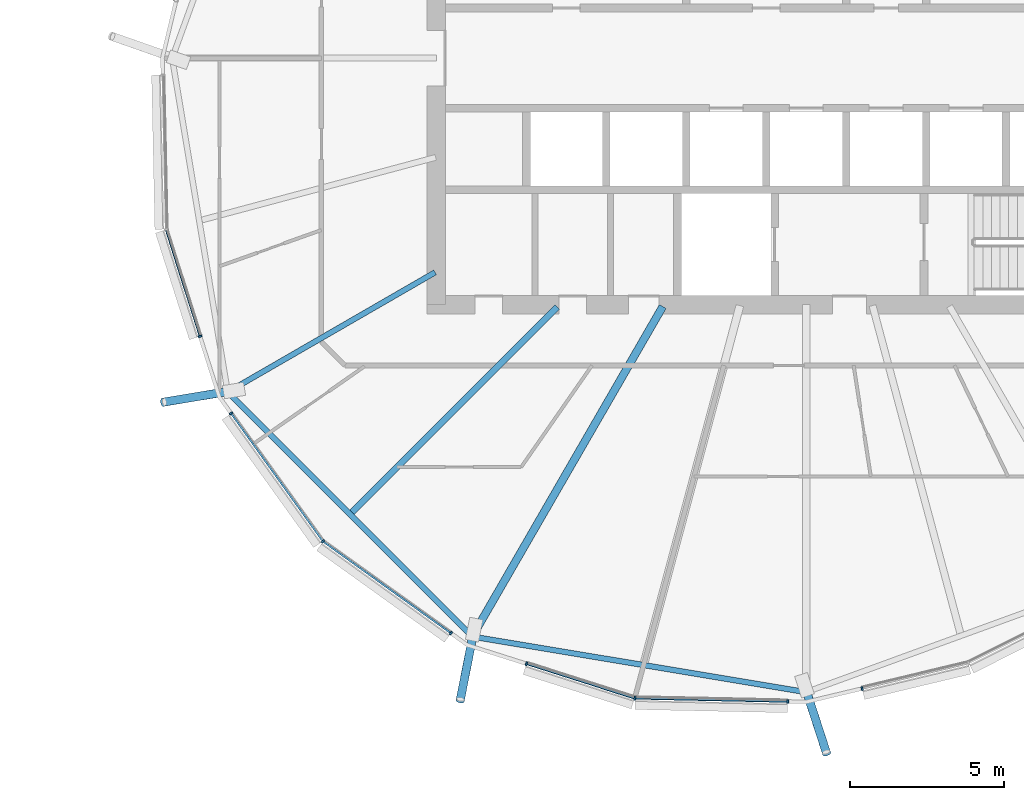
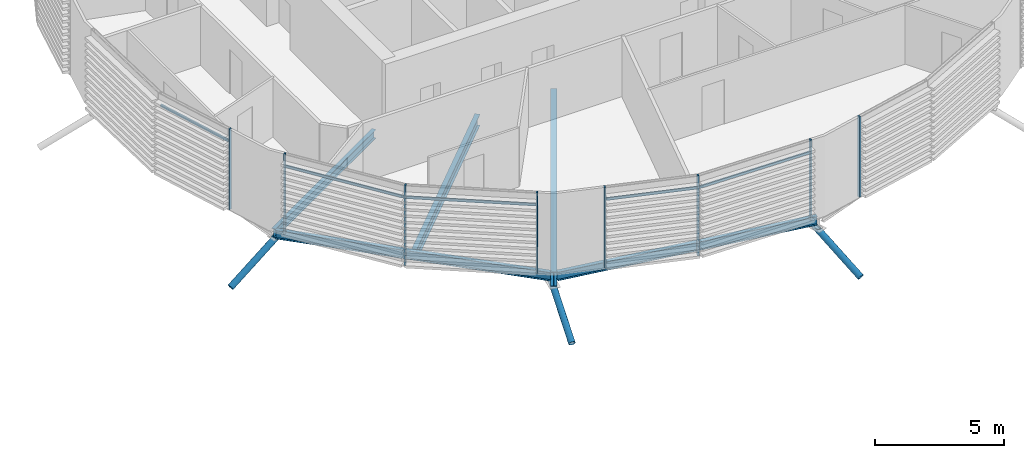
# One storey, part 11 of 36: 16 members, 5 beams, 1 element without a shape of its own.
"""IFC4 building model written with IfcOpenShell, lengths in metres."""

from ifc_helpers import new_model, si_unit, direction, frame, origin, origin_2d, place, context, subcontext, project, spatial, rectangle, hollow_circle, i_section, extrude, clip, halfspace, material, material_profile, profile_set, type_object, element, aggregate, save


model = new_model("IFC4")

# Units and contexts
model_context = context("Model", 3, precision=1e-05, world=origin(), true_north=direction((0.0, 1.0)))
body_context = subcontext(model_context, "Body", "Model", "MODEL_VIEW")
ifc_project = project(units=[si_unit("LENGTHUNIT", "METRE"), si_unit("AREAUNIT", "SQUARE_METRE"), si_unit("VOLUMEUNIT", "CUBIC_METRE"), si_unit("PLANEANGLEUNIT", "RADIAN"), si_unit("MASSUNIT", "GRAM", prefix="KILO")], contexts=[model_context])

# Site, building, storey
site_placement = place(None, origin())
site = spatial("IfcSite", under=ifc_project, at=site_placement, CompositionType="ELEMENT")
building_placement = place(site_placement, origin())
building = spatial("IfcBuilding", under=site, at=building_placement, Name="Rimbun Link Towers", CompositionType="ELEMENT")
storey_placement = place(building_placement, frame((0.0, 0.0, 174.10009765625)))
storey = spatial("IfcBuildingStorey", under=building, at=storey_placement, Name="L42", CompositionType="ELEMENT", Elevation=174.10009765625)

# Curtain wall, members
ifc_material_1 = material(Name="Aluminium 6063-T6 and low-iron glass", Category="aluminium")
curtain_wall_type = type_object("IfcCurtainWallType", Name="CW1-Z3 unitised vision wall (zone 3)", PredefinedType="NOTDEFINED", material=ifc_material_1)
curtain_wall_placement = place(storey_placement, origin())
curtain_wall = element("IfcCurtainWall", 1, at=curtain_wall_placement, inside=storey, type_object=curtain_wall_type, Name="CW1 L42 T2", PredefinedType="NOTDEFINED")
ifc_material_2 = material(Name="Aluminium 6063-T6", Category="aluminium")
ifc_material_profile_1 = material_profile(ifc_material_2, rectangle(XDim=0.1201171875, YDim=0.06005859375, at=origin_2d()), Name="MULLION 60X120")
ifc_profile_set_1 = profile_set([ifc_material_profile_1], Name="Aluminium 6063-T6")
member_type_1 = type_object("IfcMemberType", Name="CW1 mullion 60X120", PredefinedType="MULLION", material=ifc_profile_set_1)
member_1_placement = place(storey_placement, frame((12.07763671875, -9.03076171875, 0.0), z_axis=(0.0, 0.0, 1.0), x_axis=(-0.952968988731, -0.303067824946, 0.0)))
member_1 = element("IfcMember", 2, at=member_1_placement, type_object=member_type_1, Name="CW1 mullion", PredefinedType="MULLION", context=body_context, shape_type="SweptSolid", body=[
    extrude(rectangle(XDim=0.1201171875, YDim=0.06005859375, at=origin_2d()), origin(), (0.0, 0.0, 1.0), 3.7998046875),
])
member_2_placement = place(storey_placement, frame((16.0673828125, -15.6826171875, 0.0), z_axis=(0.0, 0.0, 1.0), x_axis=(-0.707106781187, -0.707106781187, 0.0)))
member_2 = element("IfcMember", 3, at=member_2_placement, type_object=member_type_1, Name="CW1 mullion", PredefinedType="MULLION", context=body_context, shape_type="SweptSolid", body=[
    extrude(rectangle(XDim=0.1201171875, YDim=0.06005859375, at=origin_2d()), origin(), (0.0, 0.0, 1.0), 3.7998046875),
])
member_3_placement = place(storey_placement, frame((13.086181640625, -11.529296875, 0.0), z_axis=(0.0, 0.0, 1.0), x_axis=(-0.812465398272, -0.583009413827, 0.0)))
member_3 = element("IfcMember", 4, at=member_3_placement, type_object=member_type_1, Name="CW1 mullion", PredefinedType="MULLION", context=body_context, shape_type="SweptSolid", body=[
    extrude(rectangle(XDim=0.1201171875, YDim=0.06005859375, at=origin_2d()), origin(), (0.0, 0.0, 1.0), 3.7998046875),
])
member_4_placement = place(storey_placement, frame((20.220703125, -18.663818359375, 0.0), z_axis=(0.0, 0.0, 1.0), x_axis=(-0.583009413827, -0.812465398272, 0.0)))
member_4 = element("IfcMember", 5, at=member_4_placement, type_object=member_type_1, Name="CW1 mullion", PredefinedType="MULLION", context=body_context, shape_type="SweptSolid", body=[
    extrude(rectangle(XDim=0.1201171875, YDim=0.06005859375, at=origin_2d()), origin(), (0.0, 0.0, 1.0), 3.7998046875),
])
member_5_placement = place(storey_placement, frame((26.189208984375, -20.775390625, 0.0), z_axis=(0.0, 0.0, 1.0), x_axis=(-0.163742714165, -0.986503078332, 0.0)))
member_5 = element("IfcMember", 6, at=member_5_placement, type_object=member_type_1, Name="CW1 mullion", PredefinedType="MULLION", context=body_context, shape_type="SweptSolid", body=[
    extrude(rectangle(XDim=0.1201171875, YDim=0.06005859375, at=origin_2d()), origin(), (0.0, 0.0, 1.0), 3.7998046875),
])
member_6_placement = place(storey_placement, frame((22.671630859375, -19.6572265625, 0.0), z_axis=(0.0, 0.0, 1.0), x_axis=(-0.303067824946, -0.952968988731, 0.0)))
member_6 = element("IfcMember", 7, at=member_6_placement, type_object=member_type_1, Name="CW1 mullion", PredefinedType="MULLION", context=body_context, shape_type="SweptSolid", body=[
    extrude(rectangle(XDim=0.1201171875, YDim=0.06005859375, at=origin_2d()), origin(), (0.0, 0.0, 1.0), 3.7998046875),
])
member_7_placement = place(storey_placement, frame((31.14892578125, -20.88037109375, 0.0), z_axis=(0.0, 0.0, 1.0), x_axis=(-0.021054979477, -0.999778319348, 0.0)))
member_7 = element("IfcMember", 8, at=member_7_placement, type_object=member_type_1, Name="CW1 mullion", PredefinedType="MULLION", context=body_context, shape_type="SweptSolid", body=[
    extrude(rectangle(XDim=0.1201171875, YDim=0.06005859375, at=origin_2d()), origin(), (0.0, 0.0, 1.0), 3.7998046875),
])
member_8_placement = place(storey_placement, frame((33.563232421875, -20.461181640625, 0.0), z_axis=(0.0, 0.0, 1.0), x_axis=(0.232594562001, -0.972573786264, 0.0)))
member_8 = element("IfcMember", 9, at=member_8_placement, type_object=member_type_1, Name="CW1 mullion", PredefinedType="MULLION", context=body_context, shape_type="SweptSolid", body=[
    extrude(rectangle(XDim=0.1201171875, YDim=0.06005859375, at=origin_2d()), origin(), (0.0, 0.0, 1.0), 3.7998046875),
])
ifc_material_3 = material(Name="Aluminium 6063-T6", Category="aluminium")
ifc_material_profile_2 = material_profile(ifc_material_3, rectangle(XDim=0.06005859375, YDim=0.1201171875, at=origin_2d()), Name="TRANSOM 60X120")
ifc_profile_set_2 = profile_set([ifc_material_profile_2], Name="Aluminium 6063-T6")
member_type_2 = type_object("IfcMemberType", Name="CW1 transom 60X120", PredefinedType="USERDEFINED", material=ifc_profile_set_2)
member_9_placement = place(storey_placement, frame((12.0703125, -9.001708984375, 3.199951171875), z_axis=(-0.303076723808, 0.952966158626, 0.0), x_axis=(-0.952966158626, -0.303076723808, 0.0)))
member_9 = element("IfcMember", 10, at=member_9_placement, type_object=member_type_2, Name="CW1 transom", ObjectType="TRANSOM", PredefinedType="USERDEFINED", context=body_context, shape_type="SweptSolid", body=[
    extrude(rectangle(XDim=0.06005859375, YDim=0.1201171875, at=origin_2d()), origin(), (0.0, 0.0, 1.0), 3.572509765625),
])
member_10_placement = place(storey_placement, frame((16.045166015625, -15.649658203125, 3.199951171875), z_axis=(-0.582995424228, 0.812475436754, 0.0), x_axis=(-0.812475436754, -0.582995424228, 0.0)))
member_10 = element("IfcMember", 11, at=member_10_placement, type_object=member_type_2, Name="CW1 transom", ObjectType="TRANSOM", PredefinedType="USERDEFINED", context=body_context, shape_type="SweptSolid", body=[
    extrude(rectangle(XDim=0.06005859375, YDim=0.1201171875, at=origin_2d()), origin(), (0.0, 0.0, 1.0), 5.042724609375),
])
member_11_placement = place(storey_placement, frame((20.197509765625, -18.644775390625, 3.199951171875), z_axis=(-0.812475436754, 0.582995424228, 0.0), x_axis=(-0.582995424228, -0.812475436754, 0.0)))
member_11 = element("IfcMember", 12, at=member_11_placement, type_object=member_type_2, Name="CW1 transom", ObjectType="TRANSOM", PredefinedType="USERDEFINED", context=body_context, shape_type="SweptSolid", body=[
    extrude(rectangle(XDim=0.06005859375, YDim=0.1201171875, at=origin_2d()), origin(), (0.0, 0.0, 1.0), 5.042724609375),
])
member_12_placement = place(storey_placement, frame((26.15283203125, -20.762451171875, 3.199951171875), z_axis=(-0.952966486651, 0.303075692395, 0.0), x_axis=(-0.303075692395, -0.952966486651, 0.0)))
member_12 = element("IfcMember", 13, at=member_12_placement, type_object=member_type_2, Name="CW1 transom", ObjectType="TRANSOM", PredefinedType="USERDEFINED", context=body_context, shape_type="SweptSolid", body=[
    extrude(rectangle(XDim=0.06005859375, YDim=0.1201171875, at=origin_2d()), origin(), (0.0, 0.0, 1.0), 3.62255859375),
])
member_13_placement = place(storey_placement, frame((31.118896484375, -20.8779296875, 3.199951171875), z_axis=(-0.99977822373, 0.021059519338, 0.0), x_axis=(-0.021059519338, -0.99977822373, 0.0)))
member_13 = element("IfcMember", 14, at=member_13_placement, type_object=member_type_2, Name="CW1 transom", ObjectType="TRANSOM", PredefinedType="USERDEFINED", context=body_context, shape_type="SweptSolid", body=[
    extrude(rectangle(XDim=0.06005859375, YDim=0.1201171875, at=origin_2d()), origin(), (0.0, 0.0, 1.0), 4.89208984375),
])
aggregate(curtain_wall, [member_1, member_2, member_3, member_4, member_5, member_6, member_7, member_8, member_9, member_10, member_11, member_12, member_13])

# Members
ifc_material_4 = material(Name="Steel S355J2H", Category="steel")
ifc_material_profile_3 = material_profile(ifc_material_4, hollow_circle(Radius=0.136474609375, WallThickness=0.012451171875, at=origin_2d()), Name="CHS 273x12.5")
ifc_profile_set_3 = profile_set([ifc_material_profile_3], Name="Steel S355J2H")
member_type_3 = type_object("IfcMemberType", Name="Floor edge link CHS 273x12.5", PredefinedType="BRACE", material=ifc_profile_set_3)
member_14_placement = place(storey_placement, frame((13.02099609375, -10.813232421875, -0.67333984375), z_axis=(-0.847652437864, -0.140281186652, -0.5116703365), x_axis=(0.163272984865, -0.986580930493, 0.0)))
element("IfcMember", 15, at=member_14_placement, inside=storey, type_object=member_type_3, Name="Floor edge link T2 L42 11", PredefinedType="BRACE", context=body_context, shape_type="Clipping", body=[
    clip(extrude(hollow_circle(Radius=0.136474609375, WallThickness=0.012451171875, at=origin_2d()), frame((0.0, 0.0, -0.47802734375)), (0.0, 0.0, 1.0), 3.015380859375), halfspace(frame((0.0, 0.0, -0.224365234375), z_axis=(0.0, 0.859181858948, -0.5116703365)), False)),
])
member_15_placement = place(storey_placement, frame((20.936767578125, -18.72900390625, -0.953125), z_axis=(-0.170118912305, -0.863261938358, -0.475224558981), x_axis=(0.981130496404, -0.193346706789, 0.0)))
element("IfcMember", 16, at=member_15_placement, inside=storey, type_object=member_type_3, Name="Floor edge link T2 L42 13", PredefinedType="BRACE", context=body_context, shape_type="Clipping", body=[
    clip(extrude(hollow_circle(Radius=0.136474609375, WallThickness=0.012451171875, at=origin_2d()), frame((0.0, 0.0, -0.526611328125)), (0.0, 0.0, 1.0), 2.993408203125), halfspace(frame((0.0, 0.0, -0.247314453125), z_axis=(0.0, 0.879864545564, -0.475224558981)), False)),
])
member_16_placement = place(storey_placement, frame((31.75, -20.526123046875, -0.953125), z_axis=(0.271431848286, -0.835726998174, -0.477373162483), x_axis=(0.951094074147, 0.308901379282, 0.0)))
element("IfcMember", 17, at=member_16_placement, inside=storey, type_object=member_type_3, Name="Floor edge link T2 L42 15", PredefinedType="BRACE", context=body_context, shape_type="Clipping", body=[
    clip(extrude(hollow_circle(Radius=0.136474609375, WallThickness=0.012451171875, at=origin_2d()), frame((0.0, 0.0, -0.5234375)), (0.0, 0.0, 1.0), 2.97265625), halfspace(frame((0.0, 0.0, -0.24609375), z_axis=(0.0, 0.878700667885, -0.477373162483)), False)),
])

# Beams
ifc_material_5 = material(Name="Steel S355J2", Category="steel")
ifc_material_profile_4 = material_profile(ifc_material_5, i_section(OverallWidth=0.177978515625, OverallDepth=0.406494140625, WebThickness=0.0078125, FlangeThickness=0.0126953125, at=origin_2d()), Name="UB 406x178x60")
ifc_profile_set_4 = profile_set([ifc_material_profile_4], Name="Steel S355J2")
beam_type_1 = type_object("IfcBeamType", Name="UB 406x178x60", PredefinedType="BEAM", material=ifc_profile_set_4)
beam_1_placement = place(storey_placement, frame((19.70458984375, -6.954345703125, -0.353271484375), z_axis=(-0.86602961347, -0.499992708539, 0.0), x_axis=(0.499992708539, -0.86602961347, 0.0)))
element("IfcBeam", 18, at=beam_1_placement, inside=storey, type_object=beam_type_1, Name="Radial beam T2 L42 11", PredefinedType="BEAM", context=body_context, shape_type="SweptSolid", body=[
    extrude(i_section(OverallWidth=0.177978515625, OverallDepth=0.406494140625, WebThickness=0.0078125, FlangeThickness=0.0126953125, at=origin_2d()), origin(), (0.0, 0.0, 1.0), 7.767578125),
])
beam_2_placement = place(storey_placement, frame((13.04345703125, -10.904052734375, -0.353271484375), z_axis=(0.707106781187, -0.707106781187, 0.0), x_axis=(0.707106781187, 0.707106781187, 0.0)))
element("IfcBeam", 19, at=beam_2_placement, inside=storey, type_object=beam_type_1, Name="Edge beam T2 L42 11-13", PredefinedType="BEAM", context=body_context, shape_type="SweptSolid", body=[
    extrude(i_section(OverallWidth=0.177978515625, OverallDepth=0.406494140625, WebThickness=0.0078125, FlangeThickness=0.0126953125, at=origin_2d()), origin(), (0.0, 0.0, 1.0), 10.9951171875),
])
beam_3_placement = place(storey_placement, frame((21.04638671875, -18.794921875, -0.353271484375), z_axis=(0.986437585606, -0.164136801797, 0.0), x_axis=(0.164136801797, 0.986437585606, 0.0)))
element("IfcBeam", 20, at=beam_3_placement, inside=storey, type_object=beam_type_1, Name="Edge beam T2 L42 13-15", PredefinedType="BEAM", context=body_context, shape_type="SweptSolid", body=[
    extrude(i_section(OverallWidth=0.177978515625, OverallDepth=0.406494140625, WebThickness=0.0078125, FlangeThickness=0.0126953125, at=origin_2d()), origin(), (0.0, 0.0, 1.0), 10.721435546875),
])
ifc_material_6 = material(Name="Steel S355J2", Category="steel")
ifc_material_profile_5 = material_profile(ifc_material_6, i_section(OverallWidth=0.209228515625, OverallDepth=0.533203125, WebThickness=0.010009765625, FlangeThickness=0.015625, at=origin_2d()), Name="UB 533x210x92")
ifc_profile_set_5 = profile_set([ifc_material_profile_5], Name="Steel S355J2")
beam_type_2 = type_object("IfcBeamType", Name="UB 533x210x92", PredefinedType="BEAM", material=ifc_profile_set_5)
beam_4_placement = place(storey_placement, frame((23.67529296875, -8.07470703125, -0.416748046875), z_axis=(-0.707106781187, -0.707106781187, 0.0), x_axis=(0.707106781187, -0.707106781187, 0.0)))
element("IfcBeam", 21, at=beam_4_placement, inside=storey, type_object=beam_type_2, Name="Radial beam T2 L42 12", PredefinedType="BEAM", context=body_context, shape_type="SweptSolid", body=[
    extrude(i_section(OverallWidth=0.209228515625, OverallDepth=0.533203125, WebThickness=0.010009765625, FlangeThickness=0.015625, at=origin_2d()), origin(), (0.0, 0.0, 1.0), 9.428466796875),
])
ifc_material_7 = material(Name="Steel S355J2", Category="steel")
ifc_material_profile_6 = material_profile(ifc_material_7, i_section(OverallWidth=0.253662109375, OverallDepth=0.68359375, WebThickness=0.012451171875, FlangeThickness=0.01904296875, at=origin_2d()), Name="UB 686x254x140")
ifc_profile_set_6 = profile_set([ifc_material_profile_6], Name="Steel S355J2")
beam_type_3 = type_object("IfcBeamType", Name="UB 686x254x140", PredefinedType="BEAM", material=ifc_profile_set_6)
beam_5_placement = place(storey_placement, frame((27.093994140625, -8.064208984375, -0.491943359375), z_axis=(-0.49998281943, -0.866035322764, 0.0), x_axis=(0.866035322764, -0.49998281943, 0.0)))
element("IfcBeam", 22, at=beam_5_placement, inside=storey, type_object=beam_type_3, Name="Radial beam T2 L42 13", PredefinedType="BEAM", context=body_context, shape_type="SweptSolid", body=[
    extrude(i_section(OverallWidth=0.253662109375, OverallDepth=0.68359375, WebThickness=0.012451171875, FlangeThickness=0.01904296875, at=origin_2d()), origin(), (0.0, 0.0, 1.0), 12.36474609375),
])

save(model, "model.ifc")
